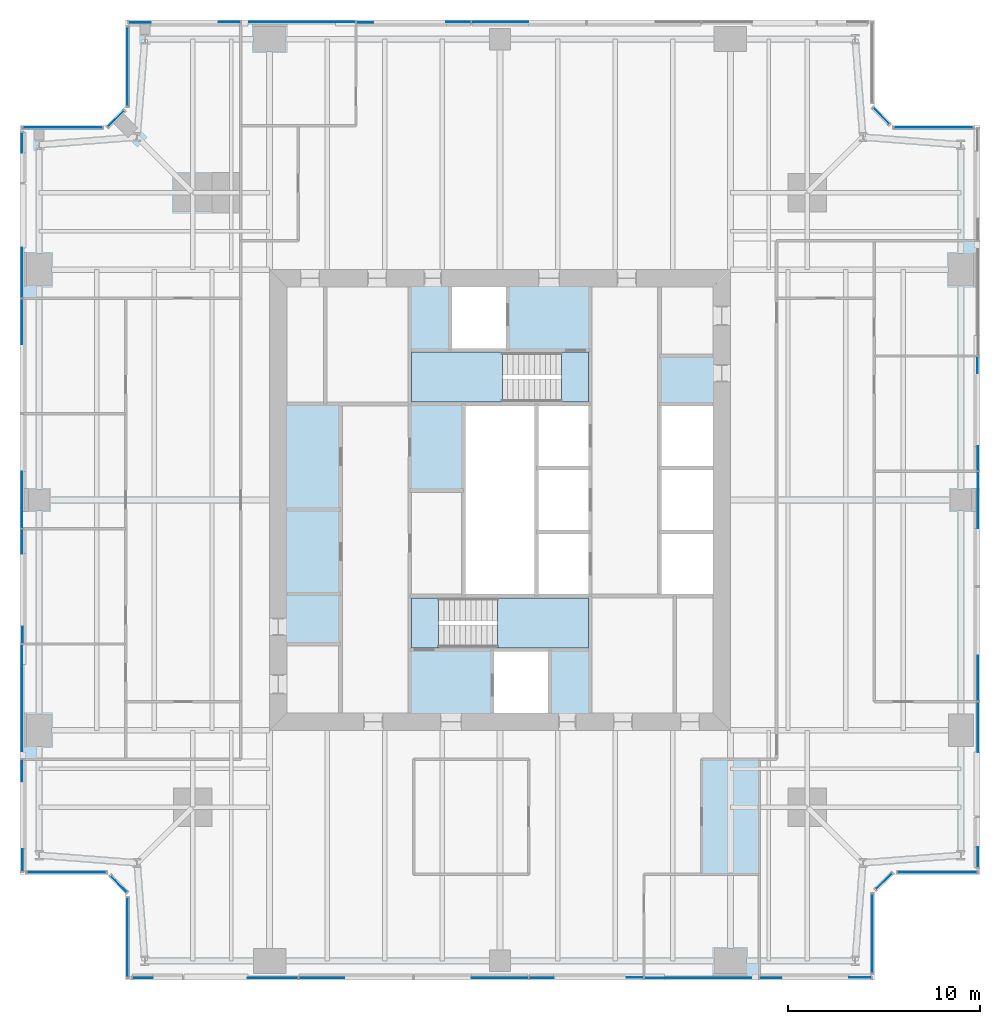
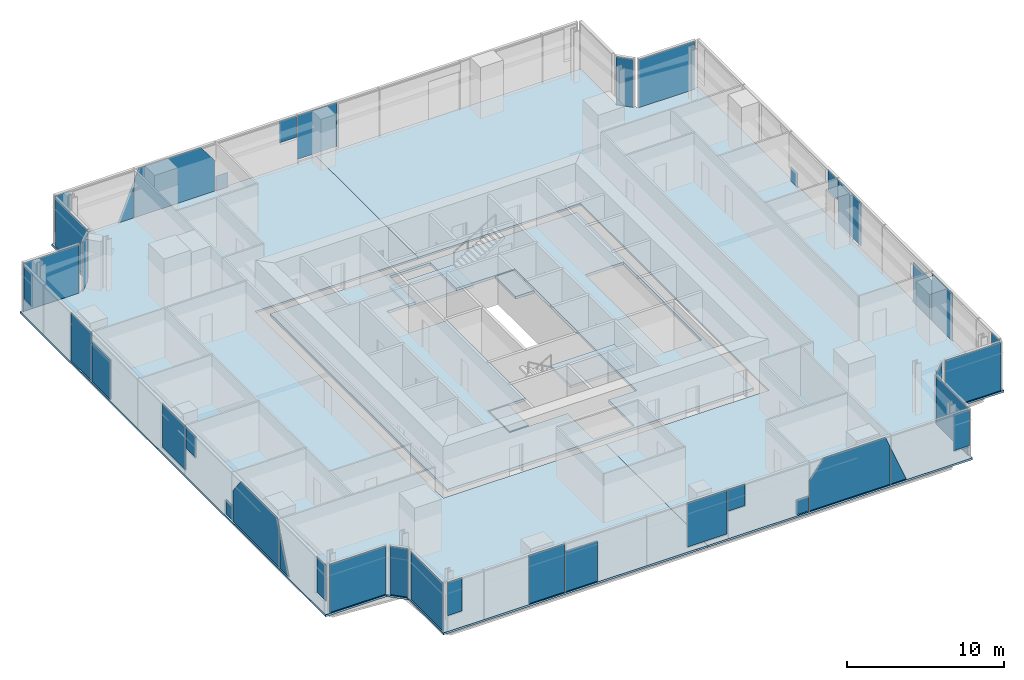
# One storey, part 8 of 14: 41 plates, 7 slabs, 17 elements without a shape of their own.
"""IFC4 building model written with IfcOpenShell, lengths in metres."""

from ifc_helpers import new_model, si_unit, direction, frame, origin, origin_2d, place, context, subcontext, project, spatial, polyline, rectangle, outline, extrude, material, layer, layer_set, type_object, element, aggregate, save


model = new_model("IFC4")

# Units and contexts
model_context = context("Model", 3, precision=1e-05, world=origin(), true_north=direction((0.0, 1.0)))
body_context = subcontext(model_context, "Body", "Model", "MODEL_VIEW")
ifc_project = project(units=[si_unit("LENGTHUNIT", "METRE"), si_unit("AREAUNIT", "SQUARE_METRE"), si_unit("VOLUMEUNIT", "CUBIC_METRE"), si_unit("PLANEANGLEUNIT", "RADIAN"), si_unit("MASSUNIT", "GRAM", prefix="KILO")], contexts=[model_context])

# Site, building, storey
site_placement = place(None, origin())
site = spatial("IfcSite", under=ifc_project, at=site_placement, CompositionType="ELEMENT")
building_placement = place(site_placement, origin())
building = spatial("IfcBuilding", under=site, at=building_placement, Name="Fenwick Lantern Interchange", CompositionType="ELEMENT")
storey_placement = place(building_placement, frame((0.0, 0.0, 221.800048828125)))
storey = spatial("IfcBuildingStorey", under=building, at=storey_placement, Name="L52", CompositionType="ELEMENT", Elevation=221.800048828125)

# Slabs
ifc_material_1 = material(Name="Concrete f'c 35 MPa", Category="concrete")
ifc_layer_1 = layer(ifc_material_1, 0.199951171875)
ifc_layer_set_1 = layer_set([ifc_layer_1], Name="CORE FLOOR SLAB 200")
slab_type_1 = type_object("IfcSlabType", Name="CORE FLOOR SLAB 200", PredefinedType="FLOOR", material=ifc_layer_set_1)
slab_1_placement = place(storey_placement, frame((0.0, 0.0, -0.199951171875)))
element("IfcSlab", 1, at=slab_1_placement, inside=storey, type_object=slab_type_1, Name="L52/SLAB/CORE", PredefinedType="FLOOR", context=body_context, shape_type="SweptSolid", body=[
    extrude(outline(polyline([(13.699951171875, 36.300048828125), (36.300048828125, 36.300048828125), (36.300048828125, 13.699951171875), (13.699951171875, 13.699951171875), (13.699951171875, 36.300048828125)]), holes=[polyline([(24.60009765625, 13.89990234375), (27.60009765625, 13.89990234375), (27.60009765625, 17.199951171875), (29.699951171875, 17.199951171875), (29.699951171875, 20.0), (29.699951171875, 23.333251953125), (29.699951171875, 26.666748046875), (29.699951171875, 30.0), (29.699951171875, 32.800048828125), (25.39990234375, 32.800048828125), (25.39990234375, 36.10009765625), (22.39990234375, 36.10009765625), (22.39990234375, 32.800048828125), (20.300048828125, 32.800048828125), (20.300048828125, 30.0), (23.10009765625, 30.0), (23.10009765625, 20.0), (20.300048828125, 20.0), (20.300048828125, 17.199951171875), (24.60009765625, 17.199951171875), (24.60009765625, 13.89990234375)]), polyline([(33.300048828125, 23.333251953125), (33.300048828125, 20.0), (36.10009765625, 20.0), (36.10009765625, 23.333251953125), (36.10009765625, 26.666748046875), (36.10009765625, 30.0), (33.300048828125, 30.0), (33.300048828125, 26.666748046875), (33.300048828125, 23.333251953125)])]), origin(), (0.0, 0.0, 1.0), 0.199951171875),
])
ifc_material_2 = material(Name="Concrete f'c 35 MPa", Category="concrete")
ifc_layer_2 = layer(ifc_material_2, 0.14990234375)
ifc_layer_set_2 = layer_set([ifc_layer_2], Name="Concrete f'c 35 MPa")
slab_type_2 = type_object("IfcSlabType", Name="FLOOR SLAB 150", PredefinedType="FLOOR", material=ifc_layer_set_2)
slab_2_placement = place(storey_placement, frame((0.0, 0.0, -0.150146484375)))
element("IfcSlab", 2, at=slab_2_placement, inside=storey, type_object=slab_type_2, Name="L52/SLAB/FW", PredefinedType="FLOOR", context=body_context, shape_type="SweptSolid", body=[
    extrude(outline(polyline([(5.5, 0.0), (5.5, 4.5), (4.5, 5.5), (0.0, 5.5), (0.0, 44.5), (4.5, 44.5), (5.5, 45.5), (5.5, 50.0), (25.0, 50.0), (25.0, 37.0), (13.0, 37.0), (13.0, 13.0), (25.0, 13.0), (25.0, 0.0), (5.5, 0.0)])), origin(), (0.0, 0.0, 1.0), 0.150146484375),
])
slab_3_placement = place(storey_placement, frame((0.0, 0.0, -0.150146484375)))
element("IfcSlab", 3, at=slab_3_placement, inside=storey, type_object=slab_type_2, Name="L52/SLAB/FE", PredefinedType="FLOOR", context=body_context, shape_type="SweptSolid", body=[
    extrude(outline(polyline([(44.5, 50.0), (44.5, 45.5), (45.5, 44.5), (50.0, 44.5), (50.0, 5.5), (45.5, 5.5), (44.5, 4.5), (44.5, 0.0), (25.0, 0.0), (25.0, 13.0), (37.0, 13.0), (37.0, 37.0), (25.0, 37.0), (25.0, 50.0), (44.5, 50.0)])), origin(), (0.0, 0.0, 1.0), 0.150146484375),
])

# Curtain wall, plates
ifc_material_3 = material(Name="Aluminium curtain wall frame", Category="aluminium")
curtain_wall_type = type_object("IfcCurtainWallType", Name="OFFICE CURTAIN WALL", PredefinedType="USERDEFINED", material=ifc_material_3)
curtain_wall_1_placement = place(storey_placement, origin())
curtain_wall_1 = element("IfcCurtainWall", 4, at=curtain_wall_1_placement, inside=storey, type_object=curtain_wall_type, Name="Office curtain wall 01", ObjectType="OFFICE CURTAIN WALL", PredefinedType="USERDEFINED")
ifc_material_4 = material(Name="Vision glass, clear low-iron double glazed", Category="glass")
ifc_layer_3 = layer(ifc_material_4, 0.031982421875)
ifc_layer_set_3 = layer_set([ifc_layer_3], Name="OFFICE CURTAIN WALL PANEL 32")
plate_type = type_object("IfcPlateType", Name="OFFICE CURTAIN WALL PANEL 32", PredefinedType="CURTAIN_PANEL", material=ifc_layer_set_3)
plate_1_placement = place(storey_placement, frame((5.60009765625, 0.10009765625, 1.17333984375), z_axis=(0.0, 0.0, 1.0), x_axis=(1.0, 0.0, 0.0)))
plate_1 = element("IfcPlate", 5, at=plate_1_placement, type_object=plate_type, Name="L52/CW/01/P00a", PredefinedType="CURTAIN_PANEL", context=body_context, shape_type="SweptSolid", body=[
    extrude(outline(polyline([(0.264892578125, 0.0), (1.320068359375, 0.0), (1.320068359375, 2.57666015625), (0.264892578125, 2.57666015625), (0.264892578125, 0.0)])), frame((0.0, 0.01611328125, 0.0), z_axis=(0.0, -1.0, 0.0), x_axis=(1.0, 0.0, 0.0)), (0.0, 0.0, 1.0), 0.031982421875),
])
plate_2_placement = place(storey_placement, frame((5.60009765625, 0.10009765625, 0.0), z_axis=(0.0, 0.0, 1.0), x_axis=(1.0, 0.0, 0.0)))
plate_2 = element("IfcPlate", 6, at=plate_2_placement, type_object=plate_type, Name="L52/CW/01/P01a", PredefinedType="CURTAIN_PANEL", context=body_context, shape_type="SweptSolid", body=[
    extrude(outline(polyline([(6.2646484375, 0.0), (8.867431640625, 0.0), (8.867431640625, 3.75), (6.2646484375, 3.75), (6.2646484375, 0.0)])), frame((0.0, 0.01611328125, 0.0), z_axis=(0.0, -1.0, 0.0), x_axis=(1.0, 0.0, 0.0)), (0.0, 0.0, 1.0), 0.031982421875),
])
plate_3_placement = place(storey_placement, frame((5.60009765625, 0.10009765625, 0.0), z_axis=(0.0, 0.0, 1.0), x_axis=(1.0, 0.0, 0.0)))
plate_3 = element("IfcPlate", 7, at=plate_3_placement, type_object=plate_type, Name="L52/CW/01/P02a", PredefinedType="CURTAIN_PANEL", context=body_context, shape_type="SweptSolid", body=[
    extrude(outline(polyline([(8.9326171875, 0.0), (11.297607421875, 0.0), (11.297607421875, 3.13330078125), (8.9326171875, 3.13330078125), (8.9326171875, 0.0)])), frame((0.0, 0.01611328125, 0.0), z_axis=(0.0, -1.0, 0.0), x_axis=(1.0, 0.0, 0.0)), (0.0, 0.0, 1.0), 0.031982421875),
])
plate_4_placement = place(storey_placement, frame((5.60009765625, 0.10009765625, 0.328125), z_axis=(0.0, 0.0, 1.0), x_axis=(1.0, 0.0, 0.0)))
plate_4 = element("IfcPlate", 8, at=plate_4_placement, type_object=plate_type, Name="L52/CW/01/P03a", PredefinedType="CURTAIN_PANEL", context=body_context, shape_type="SweptSolid", body=[
    extrude(outline(polyline([(17.928466796875, 0.0), (20.867431640625, 0.0), (20.867431640625, 3.421875), (17.928466796875, 3.421875), (17.928466796875, 0.0)])), frame((0.0, 0.01611328125, 0.0), z_axis=(0.0, -1.0, 0.0), x_axis=(1.0, 0.0, 0.0)), (0.0, 0.0, 1.0), 0.031982421875),
])
plate_5_placement = place(storey_placement, frame((5.60009765625, 0.10009765625, 2.07666015625), z_axis=(0.0, 0.0, 1.0), x_axis=(1.0, 0.0, 0.0)))
plate_5 = element("IfcPlate", 9, at=plate_5_placement, type_object=plate_type, Name="L52/CW/01/P04a", PredefinedType="CURTAIN_PANEL", context=body_context, shape_type="SweptSolid", body=[
    extrude(outline(polyline([(20.9326171875, 0.0), (22.1923828125, 0.0), (22.1923828125, 1.67333984375), (20.9326171875, 1.67333984375), (20.9326171875, 0.0)])), frame((0.0, 0.01611328125, 0.0), z_axis=(0.0, -1.0, 0.0), x_axis=(1.0, 0.0, 0.0)), (0.0, 0.0, 1.0), 0.031982421875),
])
plate_6_placement = place(storey_placement, frame((5.60009765625, 0.10009765625, 0.0), z_axis=(0.0, 0.0, 1.0), x_axis=(1.0, 0.0, 0.0)))
plate_6 = element("IfcPlate", 10, at=plate_6_placement, type_object=plate_type, Name="L52/CW/01/P04b", PredefinedType="CURTAIN_PANEL", context=body_context, shape_type="SweptSolid", body=[
    extrude(outline(polyline([(26.00048828125, 0.0), (26.867431640625, 0.0), (26.867431640625, 1.14501953125), (26.00048828125, 1.14501953125), (26.00048828125, 0.0)])), frame((0.0, 0.0498046875, 0.0), z_axis=(0.0, -1.0, 0.0), x_axis=(1.0, 0.0, 0.0)), (0.0, 0.0, 1.0), 0.031982421875),
])
plate_7_placement = place(storey_placement, frame((5.60009765625, 0.10009765625, 0.0), z_axis=(0.0, 0.0, 1.0), x_axis=(1.0, 0.0, 0.0)))
plate_7 = element("IfcPlate", 11, at=plate_7_placement, type_object=plate_type, Name="L52/CW/01/P05a", PredefinedType="CURTAIN_PANEL", context=body_context, shape_type="SweptSolid", body=[
    extrude(outline(polyline([(26.9326171875, 0.0), (32.867431640625, 0.0), (32.867431640625, 2.939697265625), (32.535888671875, 3.75), (27.96826171875, 3.75), (26.9326171875, 2.37890625), (26.9326171875, 0.0)])), frame((0.0, 0.01611328125, 0.0), z_axis=(0.0, -1.0, 0.0), x_axis=(1.0, 0.0, 0.0)), (0.0, 0.0, 1.0), 0.031982421875),
])
plate_8_placement = place(storey_placement, frame((5.60009765625, 0.10009765625, 0.0), z_axis=(0.0, 0.0, 1.0), x_axis=(1.0, 0.0, 0.0)))
plate_8 = element("IfcPlate", 12, at=plate_8_placement, type_object=plate_type, Name="L52/CW/01/P06a", PredefinedType="CURTAIN_PANEL", context=body_context, shape_type="SweptSolid", body=[
    extrude(outline(polyline([(32.9326171875, 0.0), (34.0703125, 0.0), (32.9326171875, 2.78076171875), (32.9326171875, 0.0)])), frame((0.0, 0.01611328125, 0.0), z_axis=(0.0, -1.0, 0.0), x_axis=(1.0, 0.0, 0.0)), (0.0, 0.0, 1.0), 0.031982421875),
])
plate_9_placement = place(storey_placement, frame((5.60009765625, 0.10009765625, 0.92724609375), z_axis=(0.0, 0.0, 1.0), x_axis=(1.0, 0.0, 0.0)))
plate_9 = element("IfcPlate", 13, at=plate_9_placement, type_object=plate_type, Name="L52/CW/01/P06b", PredefinedType="CURTAIN_PANEL", context=body_context, shape_type="SweptSolid", body=[
    extrude(outline(polyline([(37.58056640625, 0.0), (38.735107421875, 0.0), (38.735107421875, 2.82275390625), (37.58056640625, 2.82275390625), (37.58056640625, 0.0)])), frame((0.0, 0.0498046875, 0.0), z_axis=(0.0, -1.0, 0.0), x_axis=(1.0, 0.0, 0.0)), (0.0, 0.0, 1.0), 0.031982421875),
])
aggregate(curtain_wall_1, [plate_1, plate_2, plate_3, plate_4, plate_5, plate_6, plate_7, plate_8, plate_9])

# Curtain wall, plate
curtain_wall_2_placement = place(storey_placement, origin())
curtain_wall_2 = element("IfcCurtainWall", 14, at=curtain_wall_2_placement, inside=storey, type_object=curtain_wall_type, Name="Office curtain wall 02", ObjectType="OFFICE CURTAIN WALL", PredefinedType="USERDEFINED")
plate_10_placement = place(storey_placement, frame((44.39990234375, 2.420654296875, 0.0), z_axis=(0.0, 0.0, 1.0), x_axis=(0.0, 1.0, 0.0)))
plate_10 = element("IfcPlate", 15, at=plate_10_placement, type_object=plate_type, Name="L52/CW/02/P00", PredefinedType="CURTAIN_PANEL", context=body_context, shape_type="SweptSolid", body=[
    extrude(rectangle(XDim=4.111328125, YDim=0.031982421875, at=origin_2d()), origin(), (0.0, 0.0, 1.0), 3.75),
])
aggregate(curtain_wall_2, [plate_10])

curtain_wall_3_placement = place(storey_placement, origin())
curtain_wall_3 = element("IfcCurtainWall", 16, at=curtain_wall_3_placement, inside=storey, type_object=curtain_wall_type, Name="Office curtain wall 03", ObjectType="OFFICE CURTAIN WALL", PredefinedType="USERDEFINED")
plate_11_placement = place(storey_placement, frame((45.0, 5.141357421875, 0.0), z_axis=(0.0, 0.0, 1.0), x_axis=(0.707106781187, 0.707106781187, 0.0)))
plate_11 = element("IfcPlate", 17, at=plate_11_placement, type_object=plate_type, Name="L52/CW/03/P00", PredefinedType="CURTAIN_PANEL", context=body_context, shape_type="SweptSolid", body=[
    extrude(rectangle(XDim=1.1669921875, YDim=0.031982421875, at=origin_2d()), origin(), (0.0, 0.0, 1.0), 3.75),
])
aggregate(curtain_wall_3, [plate_11])

curtain_wall_4_placement = place(storey_placement, origin())
curtain_wall_4 = element("IfcCurtainWall", 18, at=curtain_wall_4_placement, inside=storey, type_object=curtain_wall_type, Name="Office curtain wall 04", ObjectType="OFFICE CURTAIN WALL", PredefinedType="USERDEFINED")
plate_12_placement = place(storey_placement, frame((47.779296875, 5.60009765625, 0.0), z_axis=(0.0, 0.0, 1.0), x_axis=(1.0, 0.0, 0.0)))
plate_12 = element("IfcPlate", 19, at=plate_12_placement, type_object=plate_type, Name="L52/CW/04/P00", PredefinedType="CURTAIN_PANEL", context=body_context, shape_type="SweptSolid", body=[
    extrude(rectangle(XDim=4.111328125, YDim=0.031982421875, at=origin_2d()), origin(), (0.0, 0.0, 1.0), 3.75),
])
aggregate(curtain_wall_4, [plate_12])

# Curtain wall, plates
curtain_wall_5_placement = place(storey_placement, origin())
curtain_wall_5 = element("IfcCurtainWall", 20, at=curtain_wall_5_placement, inside=storey, type_object=curtain_wall_type, Name="Office curtain wall 05", ObjectType="OFFICE CURTAIN WALL", PredefinedType="USERDEFINED")
plate_13_placement = place(storey_placement, frame((49.89990234375, 5.60009765625, 1.17333984375), z_axis=(0.0, 0.0, 1.0), x_axis=(0.0, 1.0, 0.0)))
plate_13 = element("IfcPlate", 21, at=plate_13_placement, type_object=plate_type, Name="L52/CW/05/P00a", PredefinedType="CURTAIN_PANEL", context=body_context, shape_type="SweptSolid", body=[
    extrude(outline(polyline([(0.264892578125, 0.0), (1.320068359375, 0.0), (1.320068359375, 2.57666015625), (0.264892578125, 2.57666015625), (0.264892578125, 0.0)])), frame((0.0, 0.01611328125, 0.0), z_axis=(0.0, -1.0, 0.0), x_axis=(1.0, 0.0, 0.0)), (0.0, 0.0, 1.0), 0.031982421875),
])
plate_14_placement = place(storey_placement, frame((49.89990234375, 5.60009765625, 0.0), z_axis=(0.0, 0.0, 1.0), x_axis=(0.0, 1.0, 0.0)))
plate_14 = element("IfcPlate", 22, at=plate_14_placement, type_object=plate_type, Name="L52/CW/05/P01a", PredefinedType="CURTAIN_PANEL", context=body_context, shape_type="SweptSolid", body=[
    extrude(outline(polyline([(6.2646484375, 0.0), (8.867431640625, 0.0), (8.867431640625, 3.75), (6.2646484375, 3.75), (6.2646484375, 0.0)])), frame((0.0, 0.01611328125, 0.0), z_axis=(0.0, -1.0, 0.0), x_axis=(1.0, 0.0, 0.0)), (0.0, 0.0, 1.0), 0.031982421875),
])
plate_15_placement = place(storey_placement, frame((49.89990234375, 5.60009765625, 0.0), z_axis=(0.0, 0.0, 1.0), x_axis=(0.0, 1.0, 0.0)))
plate_15 = element("IfcPlate", 23, at=plate_15_placement, type_object=plate_type, Name="L52/CW/05/P02a", PredefinedType="CURTAIN_PANEL", context=body_context, shape_type="SweptSolid", body=[
    extrude(outline(polyline([(8.9326171875, 0.0), (11.297607421875, 0.0), (11.297607421875, 3.13330078125), (8.9326171875, 3.13330078125), (8.9326171875, 0.0)])), frame((0.0, 0.01611328125, 0.0), z_axis=(0.0, -1.0, 0.0), x_axis=(1.0, 0.0, 0.0)), (0.0, 0.0, 1.0), 0.031982421875),
])
plate_16_placement = place(storey_placement, frame((49.89990234375, 5.60009765625, 0.328125), z_axis=(0.0, 0.0, 1.0), x_axis=(0.0, 1.0, 0.0)))
plate_16 = element("IfcPlate", 24, at=plate_16_placement, type_object=plate_type, Name="L52/CW/05/P03a", PredefinedType="CURTAIN_PANEL", context=body_context, shape_type="SweptSolid", body=[
    extrude(outline(polyline([(17.928466796875, 0.0), (20.867431640625, 0.0), (20.867431640625, 3.421875), (17.928466796875, 3.421875), (17.928466796875, 0.0)])), frame((0.0, 0.01611328125, 0.0), z_axis=(0.0, -1.0, 0.0), x_axis=(1.0, 0.0, 0.0)), (0.0, 0.0, 1.0), 0.031982421875),
])
plate_17_placement = place(storey_placement, frame((49.89990234375, 5.60009765625, 2.07666015625), z_axis=(0.0, 0.0, 1.0), x_axis=(0.0, 1.0, 0.0)))
plate_17 = element("IfcPlate", 25, at=plate_17_placement, type_object=plate_type, Name="L52/CW/05/P04a", PredefinedType="CURTAIN_PANEL", context=body_context, shape_type="SweptSolid", body=[
    extrude(outline(polyline([(20.9326171875, 0.0), (22.1923828125, 0.0), (22.1923828125, 1.67333984375), (20.9326171875, 1.67333984375), (20.9326171875, 0.0)])), frame((0.0, 0.01611328125, 0.0), z_axis=(0.0, -1.0, 0.0), x_axis=(1.0, 0.0, 0.0)), (0.0, 0.0, 1.0), 0.031982421875),
])
plate_18_placement = place(storey_placement, frame((49.89990234375, 5.60009765625, 0.0), z_axis=(0.0, 0.0, 1.0), x_axis=(0.0, 1.0, 0.0)))
plate_18 = element("IfcPlate", 26, at=plate_18_placement, type_object=plate_type, Name="L52/CW/05/P04b", PredefinedType="CURTAIN_PANEL", context=body_context, shape_type="SweptSolid", body=[
    extrude(outline(polyline([(26.00048828125, 0.0), (26.867431640625, 0.0), (26.867431640625, 1.14501953125), (26.00048828125, 1.14501953125), (26.00048828125, 0.0)])), frame((0.0, 0.0498046875, 0.0), z_axis=(0.0, -1.0, 0.0), x_axis=(1.0, 0.0, 0.0)), (0.0, 0.0, 1.0), 0.031982421875),
])
aggregate(curtain_wall_5, [plate_13, plate_14, plate_15, plate_16, plate_17, plate_18])

# Curtain wall, plate
curtain_wall_6_placement = place(storey_placement, origin())
curtain_wall_6 = element("IfcCurtainWall", 27, at=curtain_wall_6_placement, inside=storey, type_object=curtain_wall_type, Name="Office curtain wall 06", ObjectType="OFFICE CURTAIN WALL", PredefinedType="USERDEFINED")
plate_19_placement = place(storey_placement, frame((47.579345703125, 44.39990234375, 0.0), z_axis=(0.0, 0.0, 1.0), x_axis=(-1.0, 0.0, 0.0)))
plate_19 = element("IfcPlate", 28, at=plate_19_placement, type_object=plate_type, Name="L52/CW/06/P00", PredefinedType="CURTAIN_PANEL", context=body_context, shape_type="SweptSolid", body=[
    extrude(rectangle(XDim=4.111328125, YDim=0.031982421875, at=origin_2d()), origin(), (0.0, 0.0, 1.0), 3.75),
])
aggregate(curtain_wall_6, [plate_19])

curtain_wall_7_placement = place(storey_placement, origin())
curtain_wall_7 = element("IfcCurtainWall", 29, at=curtain_wall_7_placement, inside=storey, type_object=curtain_wall_type, Name="Office curtain wall 07", ObjectType="OFFICE CURTAIN WALL", PredefinedType="USERDEFINED")
plate_20_placement = place(storey_placement, frame((44.858642578125, 45.0, 0.0), z_axis=(0.0, 0.0, 1.0), x_axis=(-0.707106781187, 0.707106781187, 0.0)))
plate_20 = element("IfcPlate", 30, at=plate_20_placement, type_object=plate_type, Name="L52/CW/07/P00", PredefinedType="CURTAIN_PANEL", context=body_context, shape_type="SweptSolid", body=[
    extrude(rectangle(XDim=1.1669921875, YDim=0.031982421875, at=origin_2d()), origin(), (0.0, 0.0, 1.0), 3.75),
])
aggregate(curtain_wall_7, [plate_20])

# Curtain wall, plates
curtain_wall_8_placement = place(storey_placement, origin())
curtain_wall_8 = element("IfcCurtainWall", 31, at=curtain_wall_8_placement, inside=storey, type_object=curtain_wall_type, Name="Office curtain wall 09", ObjectType="OFFICE CURTAIN WALL", PredefinedType="USERDEFINED")
plate_21_placement = place(storey_placement, frame((44.39990234375, 49.89990234375, 0.328125), z_axis=(0.0, 0.0, 1.0), x_axis=(-1.0, 0.0, 0.0)))
plate_21 = element("IfcPlate", 32, at=plate_21_placement, type_object=plate_type, Name="L52/CW/09/P03a", PredefinedType="CURTAIN_PANEL", context=body_context, shape_type="SweptSolid", body=[
    extrude(outline(polyline([(17.928466796875, 0.0), (20.867431640625, 0.0), (20.867431640625, 3.421875), (17.928466796875, 3.421875), (17.928466796875, 0.0)])), frame((0.0, 0.01611328125, 0.0), z_axis=(0.0, -1.0, 0.0), x_axis=(1.0, 0.0, 0.0)), (0.0, 0.0, 1.0), 0.031982421875),
])
plate_22_placement = place(storey_placement, frame((44.39990234375, 49.89990234375, 2.07666015625), z_axis=(0.0, 0.0, 1.0), x_axis=(-1.0, 0.0, 0.0)))
plate_22 = element("IfcPlate", 33, at=plate_22_placement, type_object=plate_type, Name="L52/CW/09/P04a", PredefinedType="CURTAIN_PANEL", context=body_context, shape_type="SweptSolid", body=[
    extrude(outline(polyline([(20.9326171875, 0.0), (22.1923828125, 0.0), (22.1923828125, 1.67333984375), (20.9326171875, 1.67333984375), (20.9326171875, 0.0)])), frame((0.0, 0.01611328125, 0.0), z_axis=(0.0, -1.0, 0.0), x_axis=(1.0, 0.0, 0.0)), (0.0, 0.0, 1.0), 0.031982421875),
])
plate_23_placement = place(storey_placement, frame((44.39990234375, 49.89990234375, 0.0), z_axis=(0.0, 0.0, 1.0), x_axis=(-1.0, 0.0, 0.0)))
plate_23 = element("IfcPlate", 34, at=plate_23_placement, type_object=plate_type, Name="L52/CW/09/P04b", PredefinedType="CURTAIN_PANEL", context=body_context, shape_type="SweptSolid", body=[
    extrude(outline(polyline([(26.00048828125, 0.0), (26.867431640625, 0.0), (26.867431640625, 1.14501953125), (26.00048828125, 1.14501953125), (26.00048828125, 0.0)])), frame((0.0, 0.0498046875, 0.0), z_axis=(0.0, -1.0, 0.0), x_axis=(1.0, 0.0, 0.0)), (0.0, 0.0, 1.0), 0.031982421875),
])
plate_24_placement = place(storey_placement, frame((44.39990234375, 49.89990234375, 0.0), z_axis=(0.0, 0.0, 1.0), x_axis=(-1.0, 0.0, 0.0)))
plate_24 = element("IfcPlate", 35, at=plate_24_placement, type_object=plate_type, Name="L52/CW/09/P05a", PredefinedType="CURTAIN_PANEL", context=body_context, shape_type="SweptSolid", body=[
    extrude(outline(polyline([(26.9326171875, 0.0), (32.867431640625, 0.0), (32.867431640625, 2.939697265625), (32.535888671875, 3.75), (27.96826171875, 3.75), (26.9326171875, 2.37890625), (26.9326171875, 0.0)])), frame((0.0, 0.01611328125, 0.0), z_axis=(0.0, -1.0, 0.0), x_axis=(1.0, 0.0, 0.0)), (0.0, 0.0, 1.0), 0.031982421875),
])
plate_25_placement = place(storey_placement, frame((44.39990234375, 49.89990234375, 0.0), z_axis=(0.0, 0.0, 1.0), x_axis=(-1.0, 0.0, 0.0)))
plate_25 = element("IfcPlate", 36, at=plate_25_placement, type_object=plate_type, Name="L52/CW/09/P06a", PredefinedType="CURTAIN_PANEL", context=body_context, shape_type="SweptSolid", body=[
    extrude(outline(polyline([(32.9326171875, 0.0), (34.0703125, 0.0), (32.9326171875, 2.78076171875), (32.9326171875, 0.0)])), frame((0.0, 0.01611328125, 0.0), z_axis=(0.0, -1.0, 0.0), x_axis=(1.0, 0.0, 0.0)), (0.0, 0.0, 1.0), 0.031982421875),
])
plate_26_placement = place(storey_placement, frame((44.39990234375, 49.89990234375, 0.92724609375), z_axis=(0.0, 0.0, 1.0), x_axis=(-1.0, 0.0, 0.0)))
plate_26 = element("IfcPlate", 37, at=plate_26_placement, type_object=plate_type, Name="L52/CW/09/P06b", PredefinedType="CURTAIN_PANEL", context=body_context, shape_type="SweptSolid", body=[
    extrude(outline(polyline([(37.58056640625, 0.0), (38.735107421875, 0.0), (38.735107421875, 2.82275390625), (37.58056640625, 2.82275390625), (37.58056640625, 0.0)])), frame((0.0, 0.0498046875, 0.0), z_axis=(0.0, -1.0, 0.0), x_axis=(1.0, 0.0, 0.0)), (0.0, 0.0, 1.0), 0.031982421875),
])
aggregate(curtain_wall_8, [plate_21, plate_22, plate_23, plate_24, plate_25, plate_26])

# Curtain wall, plate
curtain_wall_9_placement = place(storey_placement, origin())
curtain_wall_9 = element("IfcCurtainWall", 38, at=curtain_wall_9_placement, inside=storey, type_object=curtain_wall_type, Name="Office curtain wall 10", ObjectType="OFFICE CURTAIN WALL", PredefinedType="USERDEFINED")
plate_27_placement = place(storey_placement, frame((5.60009765625, 47.579345703125, 0.0), z_axis=(0.0, 0.0, 1.0), x_axis=(0.0, -1.0, 0.0)))
plate_27 = element("IfcPlate", 39, at=plate_27_placement, type_object=plate_type, Name="L52/CW/10/P00", PredefinedType="CURTAIN_PANEL", context=body_context, shape_type="SweptSolid", body=[
    extrude(rectangle(XDim=4.111328125, YDim=0.031982421875, at=origin_2d()), origin(), (0.0, 0.0, 1.0), 3.75),
])
aggregate(curtain_wall_9, [plate_27])

curtain_wall_10_placement = place(storey_placement, origin())
curtain_wall_10 = element("IfcCurtainWall", 40, at=curtain_wall_10_placement, inside=storey, type_object=curtain_wall_type, Name="Office curtain wall 11", ObjectType="OFFICE CURTAIN WALL", PredefinedType="USERDEFINED")
plate_28_placement = place(storey_placement, frame((5.0, 44.858642578125, 0.0), z_axis=(0.0, 0.0, 1.0), x_axis=(-0.707106781187, -0.707106781187, 0.0)))
plate_28 = element("IfcPlate", 41, at=plate_28_placement, type_object=plate_type, Name="L52/CW/11/P00", PredefinedType="CURTAIN_PANEL", context=body_context, shape_type="SweptSolid", body=[
    extrude(rectangle(XDim=1.1669921875, YDim=0.031982421875, at=origin_2d()), origin(), (0.0, 0.0, 1.0), 3.75),
])
aggregate(curtain_wall_10, [plate_28])

curtain_wall_11_placement = place(storey_placement, origin())
curtain_wall_11 = element("IfcCurtainWall", 42, at=curtain_wall_11_placement, inside=storey, type_object=curtain_wall_type, Name="Office curtain wall 12", ObjectType="OFFICE CURTAIN WALL", PredefinedType="USERDEFINED")
plate_29_placement = place(storey_placement, frame((2.220703125, 44.39990234375, 0.0), z_axis=(0.0, 0.0, 1.0), x_axis=(-1.0, 0.0, 0.0)))
plate_29 = element("IfcPlate", 43, at=plate_29_placement, type_object=plate_type, Name="L52/CW/12/P00", PredefinedType="CURTAIN_PANEL", context=body_context, shape_type="SweptSolid", body=[
    extrude(rectangle(XDim=4.111328125, YDim=0.031982421875, at=origin_2d()), origin(), (0.0, 0.0, 1.0), 3.75),
])
aggregate(curtain_wall_11, [plate_29])

# Curtain wall, plates
curtain_wall_12_placement = place(storey_placement, origin())
curtain_wall_12 = element("IfcCurtainWall", 44, at=curtain_wall_12_placement, inside=storey, type_object=curtain_wall_type, Name="Office curtain wall 13", ObjectType="OFFICE CURTAIN WALL", PredefinedType="USERDEFINED")
plate_30_placement = place(storey_placement, frame((0.10009765625, 44.39990234375, 1.17333984375), z_axis=(0.0, 0.0, 1.0), x_axis=(0.0, -1.0, 0.0)))
plate_30 = element("IfcPlate", 45, at=plate_30_placement, type_object=plate_type, Name="L52/CW/13/P00a", PredefinedType="CURTAIN_PANEL", context=body_context, shape_type="SweptSolid", body=[
    extrude(outline(polyline([(0.264892578125, 0.0), (1.320068359375, 0.0), (1.320068359375, 2.57666015625), (0.264892578125, 2.57666015625), (0.264892578125, 0.0)])), frame((0.0, 0.01611328125, 0.0), z_axis=(0.0, -1.0, 0.0), x_axis=(1.0, 0.0, 0.0)), (0.0, 0.0, 1.0), 0.031982421875),
])
plate_31_placement = place(storey_placement, frame((0.10009765625, 44.39990234375, 0.0), z_axis=(0.0, 0.0, 1.0), x_axis=(0.0, -1.0, 0.0)))
plate_31 = element("IfcPlate", 46, at=plate_31_placement, type_object=plate_type, Name="L52/CW/13/P01a", PredefinedType="CURTAIN_PANEL", context=body_context, shape_type="SweptSolid", body=[
    extrude(outline(polyline([(6.2646484375, 0.0), (8.867431640625, 0.0), (8.867431640625, 3.75), (6.2646484375, 3.75), (6.2646484375, 0.0)])), frame((0.0, 0.01611328125, 0.0), z_axis=(0.0, -1.0, 0.0), x_axis=(1.0, 0.0, 0.0)), (0.0, 0.0, 1.0), 0.031982421875),
])
plate_32_placement = place(storey_placement, frame((0.10009765625, 44.39990234375, 0.0), z_axis=(0.0, 0.0, 1.0), x_axis=(0.0, -1.0, 0.0)))
plate_32 = element("IfcPlate", 47, at=plate_32_placement, type_object=plate_type, Name="L52/CW/13/P02a", PredefinedType="CURTAIN_PANEL", context=body_context, shape_type="SweptSolid", body=[
    extrude(outline(polyline([(8.9326171875, 0.0), (11.297607421875, 0.0), (11.297607421875, 3.13330078125), (8.9326171875, 3.13330078125), (8.9326171875, 0.0)])), frame((0.0, 0.01611328125, 0.0), z_axis=(0.0, -1.0, 0.0), x_axis=(1.0, 0.0, 0.0)), (0.0, 0.0, 1.0), 0.031982421875),
])
plate_33_placement = place(storey_placement, frame((0.10009765625, 44.39990234375, 0.328125), z_axis=(0.0, 0.0, 1.0), x_axis=(0.0, -1.0, 0.0)))
plate_33 = element("IfcPlate", 48, at=plate_33_placement, type_object=plate_type, Name="L52/CW/13/P03a", PredefinedType="CURTAIN_PANEL", context=body_context, shape_type="SweptSolid", body=[
    extrude(outline(polyline([(17.928466796875, 0.0), (20.867431640625, 0.0), (20.867431640625, 3.421875), (17.928466796875, 3.421875), (17.928466796875, 0.0)])), frame((0.0, 0.01611328125, 0.0), z_axis=(0.0, -1.0, 0.0), x_axis=(1.0, 0.0, 0.0)), (0.0, 0.0, 1.0), 0.031982421875),
])
plate_34_placement = place(storey_placement, frame((0.10009765625, 44.39990234375, 2.07666015625), z_axis=(0.0, 0.0, 1.0), x_axis=(0.0, -1.0, 0.0)))
plate_34 = element("IfcPlate", 49, at=plate_34_placement, type_object=plate_type, Name="L52/CW/13/P04a", PredefinedType="CURTAIN_PANEL", context=body_context, shape_type="SweptSolid", body=[
    extrude(outline(polyline([(20.9326171875, 0.0), (22.1923828125, 0.0), (22.1923828125, 1.67333984375), (20.9326171875, 1.67333984375), (20.9326171875, 0.0)])), frame((0.0, 0.01611328125, 0.0), z_axis=(0.0, -1.0, 0.0), x_axis=(1.0, 0.0, 0.0)), (0.0, 0.0, 1.0), 0.031982421875),
])
plate_35_placement = place(storey_placement, frame((0.10009765625, 44.39990234375, 0.0), z_axis=(0.0, 0.0, 1.0), x_axis=(0.0, -1.0, 0.0)))
plate_35 = element("IfcPlate", 50, at=plate_35_placement, type_object=plate_type, Name="L52/CW/13/P04b", PredefinedType="CURTAIN_PANEL", context=body_context, shape_type="SweptSolid", body=[
    extrude(outline(polyline([(26.00048828125, 0.0), (26.867431640625, 0.0), (26.867431640625, 1.14501953125), (26.00048828125, 1.14501953125), (26.00048828125, 0.0)])), frame((0.0, 0.0498046875, 0.0), z_axis=(0.0, -1.0, 0.0), x_axis=(1.0, 0.0, 0.0)), (0.0, 0.0, 1.0), 0.031982421875),
])
plate_36_placement = place(storey_placement, frame((0.10009765625, 44.39990234375, 0.0), z_axis=(0.0, 0.0, 1.0), x_axis=(0.0, -1.0, 0.0)))
plate_36 = element("IfcPlate", 51, at=plate_36_placement, type_object=plate_type, Name="L52/CW/13/P05a", PredefinedType="CURTAIN_PANEL", context=body_context, shape_type="SweptSolid", body=[
    extrude(outline(polyline([(26.9326171875, 0.0), (32.867431640625, 0.0), (32.867431640625, 2.939697265625), (32.535888671875, 3.75), (27.96826171875, 3.75), (26.9326171875, 2.37890625), (26.9326171875, 0.0)])), frame((0.0, 0.01611328125, 0.0), z_axis=(0.0, -1.0, 0.0), x_axis=(1.0, 0.0, 0.0)), (0.0, 0.0, 1.0), 0.031982421875),
])
plate_37_placement = place(storey_placement, frame((0.10009765625, 44.39990234375, 0.0), z_axis=(0.0, 0.0, 1.0), x_axis=(0.0, -1.0, 0.0)))
plate_37 = element("IfcPlate", 52, at=plate_37_placement, type_object=plate_type, Name="L52/CW/13/P06a", PredefinedType="CURTAIN_PANEL", context=body_context, shape_type="SweptSolid", body=[
    extrude(outline(polyline([(32.9326171875, 0.0), (34.0703125, 0.0), (32.9326171875, 2.78076171875), (32.9326171875, 0.0)])), frame((0.0, 0.01611328125, 0.0), z_axis=(0.0, -1.0, 0.0), x_axis=(1.0, 0.0, 0.0)), (0.0, 0.0, 1.0), 0.031982421875),
])
plate_38_placement = place(storey_placement, frame((0.10009765625, 44.39990234375, 0.92724609375), z_axis=(0.0, 0.0, 1.0), x_axis=(0.0, -1.0, 0.0)))
plate_38 = element("IfcPlate", 53, at=plate_38_placement, type_object=plate_type, Name="L52/CW/13/P06b", PredefinedType="CURTAIN_PANEL", context=body_context, shape_type="SweptSolid", body=[
    extrude(outline(polyline([(37.58056640625, 0.0), (38.735107421875, 0.0), (38.735107421875, 2.82275390625), (37.58056640625, 2.82275390625), (37.58056640625, 0.0)])), frame((0.0, 0.0498046875, 0.0), z_axis=(0.0, -1.0, 0.0), x_axis=(1.0, 0.0, 0.0)), (0.0, 0.0, 1.0), 0.031982421875),
])
aggregate(curtain_wall_12, [plate_30, plate_31, plate_32, plate_33, plate_34, plate_35, plate_36, plate_37, plate_38])

# Curtain wall, plate
curtain_wall_13_placement = place(storey_placement, origin())
curtain_wall_13 = element("IfcCurtainWall", 54, at=curtain_wall_13_placement, inside=storey, type_object=curtain_wall_type, Name="Office curtain wall 14", ObjectType="OFFICE CURTAIN WALL", PredefinedType="USERDEFINED")
plate_39_placement = place(storey_placement, frame((2.420654296875, 5.60009765625, 0.0), z_axis=(0.0, 0.0, 1.0), x_axis=(1.0, 0.0, 0.0)))
plate_39 = element("IfcPlate", 55, at=plate_39_placement, type_object=plate_type, Name="L52/CW/14/P00", PredefinedType="CURTAIN_PANEL", context=body_context, shape_type="SweptSolid", body=[
    extrude(rectangle(XDim=4.111328125, YDim=0.031982421875, at=origin_2d()), origin(), (0.0, 0.0, 1.0), 3.75),
])
aggregate(curtain_wall_13, [plate_39])

curtain_wall_14_placement = place(storey_placement, origin())
curtain_wall_14 = element("IfcCurtainWall", 56, at=curtain_wall_14_placement, inside=storey, type_object=curtain_wall_type, Name="Office curtain wall 15", ObjectType="OFFICE CURTAIN WALL", PredefinedType="USERDEFINED")
plate_40_placement = place(storey_placement, frame((5.141357421875, 5.0, 0.0), z_axis=(0.0, 0.0, 1.0), x_axis=(0.707106781187, -0.707106781187, 0.0)))
plate_40 = element("IfcPlate", 57, at=plate_40_placement, type_object=plate_type, Name="L52/CW/15/P00", PredefinedType="CURTAIN_PANEL", context=body_context, shape_type="SweptSolid", body=[
    extrude(rectangle(XDim=1.1669921875, YDim=0.031982421875, at=origin_2d()), origin(), (0.0, 0.0, 1.0), 3.75),
])
aggregate(curtain_wall_14, [plate_40])

curtain_wall_15_placement = place(storey_placement, origin())
curtain_wall_15 = element("IfcCurtainWall", 58, at=curtain_wall_15_placement, inside=storey, type_object=curtain_wall_type, Name="Office curtain wall 16", ObjectType="OFFICE CURTAIN WALL", PredefinedType="USERDEFINED")
plate_41_placement = place(storey_placement, frame((5.60009765625, 2.220703125, 0.0), z_axis=(0.0, 0.0, 1.0), x_axis=(0.0, -1.0, 0.0)))
plate_41 = element("IfcPlate", 59, at=plate_41_placement, type_object=plate_type, Name="L52/CW/16/P00", PredefinedType="CURTAIN_PANEL", context=body_context, shape_type="SweptSolid", body=[
    extrude(rectangle(XDim=4.111328125, YDim=0.031982421875, at=origin_2d()), origin(), (0.0, 0.0, 1.0), 3.75),
])
aggregate(curtain_wall_15, [plate_41])

# Stair, slabs
ifc_material_5 = material(Name="Precast concrete f'c 35 MPa", Category="concrete")
stair_type = type_object("IfcStairType", Name="EXIT STAIR 1200", PredefinedType="HALF_TURN_STAIR", material=ifc_material_5)
stair_1_placement = place(storey_placement, origin())
stair_1 = element("IfcStair", 60, at=stair_1_placement, inside=storey, type_object=stair_type, Name="Exit stair ST1", PredefinedType="HALF_TURN_STAIR")
ifc_layer_4 = layer(ifc_material_1, 0.199951171875)
ifc_layer_set_4 = layer_set([ifc_layer_4], Name="STAIR LANDING 200")
slab_type_3 = type_object("IfcSlabType", Name="STAIR LANDING 200", PredefinedType="LANDING", material=ifc_layer_set_4)
slab_4_placement = place(storey_placement, frame((0.0, 0.0, 1.800048828125)))
slab_4 = element("IfcSlab", 61, at=slab_4_placement, type_object=slab_type_3, Name="ST1 landing 1", PredefinedType="LANDING", context=body_context, shape_type="SweptSolid", body=[
    extrude(outline(polyline([(24.8798828125, 17.300048828125), (29.60009765625, 17.300048828125), (29.60009765625, 19.89990234375), (24.8798828125, 19.89990234375), (24.8798828125, 17.300048828125)])), origin(), (0.0, 0.0, 1.0), 0.199951171875),
])
slab_5_placement = place(storey_placement, frame((0.0, 0.0, -0.199951171875)))
slab_5 = element("IfcSlab", 62, at=slab_5_placement, type_object=slab_type_3, Name="ST1 landing 2", PredefinedType="LANDING", context=body_context, shape_type="SweptSolid", body=[
    extrude(outline(polyline([(20.39990234375, 17.300048828125), (21.800048828125, 17.300048828125), (21.800048828125, 19.89990234375), (20.39990234375, 19.89990234375), (20.39990234375, 17.300048828125)])), origin(), (0.0, 0.0, 1.0), 0.199951171875),
])
aggregate(stair_1, [slab_4, slab_5])

stair_2_placement = place(storey_placement, origin())
stair_2 = element("IfcStair", 63, at=stair_2_placement, inside=storey, type_object=stair_type, Name="Exit stair ST2", PredefinedType="HALF_TURN_STAIR")
slab_6_placement = place(storey_placement, frame((0.0, 0.0, 1.800048828125)))
slab_6 = element("IfcSlab", 64, at=slab_6_placement, type_object=slab_type_3, Name="ST2 landing 1", PredefinedType="LANDING", context=body_context, shape_type="SweptSolid", body=[
    extrude(outline(polyline([(25.1201171875, 32.699951171875), (20.39990234375, 32.699951171875), (20.39990234375, 30.10009765625), (25.1201171875, 30.10009765625), (25.1201171875, 32.699951171875)])), origin(), (0.0, 0.0, 1.0), 0.199951171875),
])
slab_7_placement = place(storey_placement, frame((0.0, 0.0, -0.199951171875)))
slab_7 = element("IfcSlab", 65, at=slab_7_placement, type_object=slab_type_3, Name="ST2 landing 2", PredefinedType="LANDING", context=body_context, shape_type="SweptSolid", body=[
    extrude(outline(polyline([(29.60009765625, 32.699951171875), (28.199951171875, 32.699951171875), (28.199951171875, 30.10009765625), (29.60009765625, 30.10009765625), (29.60009765625, 32.699951171875)])), origin(), (0.0, 0.0, 1.0), 0.199951171875),
])
aggregate(stair_2, [slab_6, slab_7])

save(model, "model.ifc")
